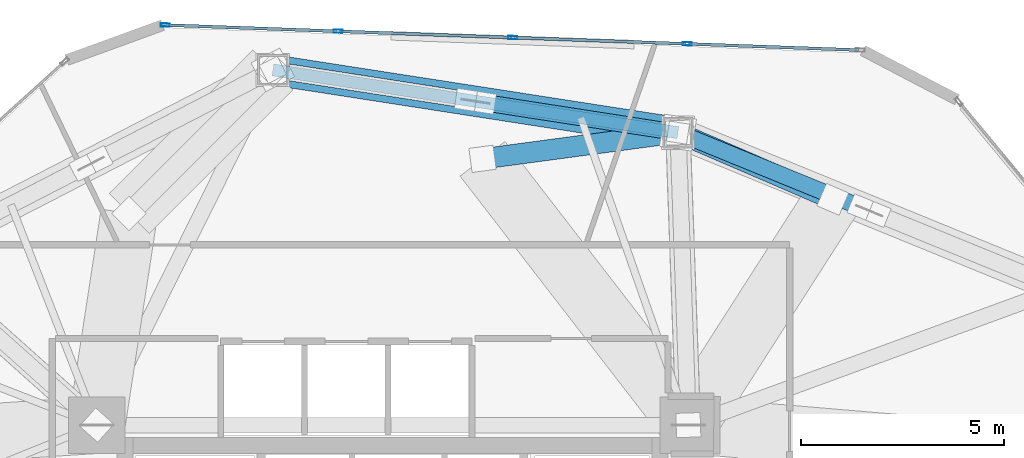
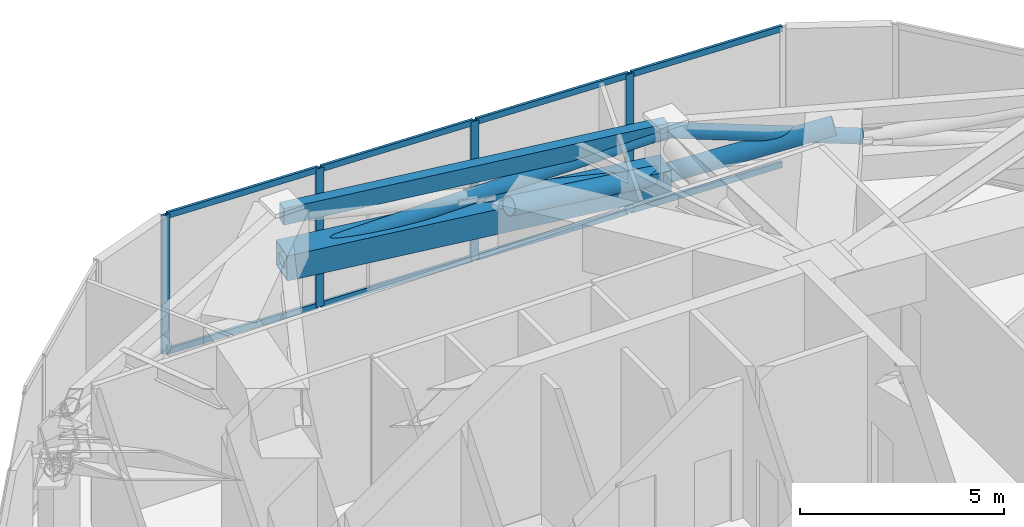
# One storey, part 17 of 25: 18 members, 1 beam, 1 element without a shape of its own.
"""IFC4 building model written with IfcOpenShell, lengths in metres."""

from ifc_helpers import new_model, si_unit, direction, frame, origin, origin_2d, place, context, subcontext, project, spatial, hollow_rectangle, hollow_circle, extrude, source, transform, mapped, material, layer, layer_set, material_profile, profile_set, type_object, type_shapes, element, aggregate, save


model = new_model("IFC4")

# Units and contexts
model_context = context("Model", 3, precision=1e-05, world=origin(), true_north=direction((0.0, 1.0)))
body_context = subcontext(model_context, "Body", "Model", "MODEL_VIEW")
ifc_project = project(units=[si_unit("LENGTHUNIT", "METRE"), si_unit("AREAUNIT", "SQUARE_METRE"), si_unit("VOLUMEUNIT", "CUBIC_METRE"), si_unit("PLANEANGLEUNIT", "RADIAN"), si_unit("MASSUNIT", "GRAM", prefix="KILO")], contexts=[model_context])

# Site, building, storey
site_placement = place(None, origin())
site = spatial("IfcSite", under=ifc_project, at=site_placement, CompositionType="ELEMENT")
building_placement = place(site_placement, origin())
building = spatial("IfcBuilding", under=site, at=building_placement, Name="Talar Marvaseh", CompositionType="ELEMENT")
storey_placement = place(building_placement, frame((0.0, 0.0, 84.800048828125)))
storey = spatial("IfcBuildingStorey", under=building, at=storey_placement, Name="L21", CompositionType="ELEMENT", Elevation=84.800048828125)

# Beam
ifc_material_1 = material(Name="Steel S355", Category="steel")
ifc_material_profile_1 = material_profile(ifc_material_1, hollow_rectangle(XDim=0.300048828125, YDim=0.5, WallThickness=0.02001953125, at=origin_2d()), Name="RHS500x300x20")
ifc_profile_set_1 = profile_set([ifc_material_profile_1], Name="Steel S355")
beam_type = type_object("IfcBeamType", Name="Zone 1 Perimeter Spandrel Beam RHS500x300x20", PredefinedType="SPANDREL", material=ifc_profile_set_1)
beam_placement = place(storey_placement, frame((23.047119140625, 45.6669921875, 3.89990234375), z_axis=(0.988210751461, -0.153099675693, 0.0), x_axis=(0.153099675693, 0.988210751461, 0.0)))
element("IfcBeam", 1, at=beam_placement, inside=storey, type_object=beam_type, Name="L21 Zone 1 Perimeter Spandrel Beam RHS500x300x20", PredefinedType="SPANDREL", context=body_context, shape_type="SweptSolid", body=[
    extrude(hollow_rectangle(XDim=0.300048828125, YDim=0.5, WallThickness=0.02001953125, at=origin_2d()), origin(), (0.0, 0.0, 1.0), 10.1181640625),
])

# Members
ifc_material_2 = material(Name="Steel S460", Category="steel")
ifc_material_profile_2 = material_profile(ifc_material_2, hollow_circle(Radius=0.25390625, WallThickness=0.02001953125, at=origin_2d()), Name="CHS508x20")
ifc_profile_set_2 = profile_set([ifc_material_profile_2], Name="Steel S460")
member_type_1 = type_object("IfcMemberType", Name="Crown Frame Diagonal Brace CHS508x20", PredefinedType="BRACE", material=ifc_profile_set_2)
shared_shape_1 = source(origin(), body_context, "Body", "SweptSolid", [
    extrude(hollow_circle(Radius=0.25390625, WallThickness=0.02001953125, at=origin_2d()), origin(), (0.0, 0.0, 1.0), 4.302978515625),
])
member_1_placement = place(storey_placement, frame((33.0458984375, 44.117919921875, 2.550048828125), z_axis=(0.887785160152, -0.382756994337, 0.255606323671), x_axis=(0.39590870499, 0.918289876517, 0.0)))
element("IfcMember", 2, at=member_1_placement, inside=storey, type_object=member_type_1, Name="L21 Setback Transfer Raked Strut 1", PredefinedType="BRACE", context=body_context, shape_type="MappedRepresentation", body=[
    mapped(shared_shape_1, transform((0.0, 0.0, 0.0), x_axis=(1.0, 0.0, 0.0), y_axis=(0.0, 1.0, 0.0), z_axis=(0.0, 0.0, 1.0), scale=1.0)),
])
shared_shape_2 = source(origin(), body_context, "Body", "SweptSolid", [
    extrude(hollow_circle(Radius=0.25390625, WallThickness=0.02001953125, at=origin_2d()), origin(), (0.0, 0.0, 1.0), 4.98974609375),
])
type_shapes(member_type_1, [shared_shape_1, shared_shape_2])
member_2_placement = place(storey_placement, frame((33.0458984375, 44.117919921875, 2.550048828125), z_axis=(-0.966774587865, -0.129464323068, 0.220422061761), x_axis=(0.132728843355, -0.991152386942, 0.0)))
element("IfcMember", 3, at=member_2_placement, inside=storey, type_object=member_type_1, Name="L21 Setback Transfer Raked Strut 12", PredefinedType="BRACE", context=body_context, shape_type="MappedRepresentation", body=[
    mapped(shared_shape_2, transform((0.0, 0.0, 0.0), x_axis=(1.0, 0.0, 0.0), y_axis=(0.0, 1.0, 0.0), z_axis=(0.0, 0.0, 1.0), scale=1.0)),
])
ifc_material_profile_3 = material_profile(ifc_material_2, hollow_rectangle(XDim=0.75, YDim=0.75, WallThickness=0.0400390625, at=origin_2d()), Name="BOX750x750x40")
ifc_profile_set_3 = profile_set([ifc_material_profile_3], Name="Steel S460")
member_type_2 = type_object("IfcMemberType", Name="Belt Truss Chord Member BOX750x750x40", PredefinedType="CHORD", material=ifc_profile_set_3)
shared_shape_3 = source(origin(), body_context, "Body", "SweptSolid", [
    extrude(hollow_rectangle(XDim=0.75, YDim=0.75, WallThickness=0.0400390625, at=origin_2d()), origin(), (0.0, 0.0, 1.0), 10.1181640625),
])
type_shapes(member_type_2, [shared_shape_3])
member_3_placement = place(storey_placement, frame((23.047119140625, 45.6669921875, 2.5), z_axis=(0.988210751461, -0.153099675693, 0.0), x_axis=(0.153099675693, 0.988210751461, 0.0)))
element("IfcMember", 4, at=member_3_placement, inside=storey, type_object=member_type_2, Name="L21 Belt Truss Bottom Chord 11", PredefinedType="CHORD", context=body_context, shape_type="MappedRepresentation", body=[
    mapped(shared_shape_3, transform((0.0, 0.0, 0.0), x_axis=(1.0, 0.0, 0.0), y_axis=(0.0, 1.0, 0.0), z_axis=(0.0, 0.0, 1.0), scale=1.0)),
])
ifc_material_profile_4 = material_profile(ifc_material_2, hollow_circle(Radius=0.203125, WallThickness=0.01611328125, at=origin_2d()), Name="CHS406x16")
ifc_profile_set_4 = profile_set([ifc_material_profile_4], Name="Steel S460")
member_type_3 = type_object("IfcMemberType", Name="Belt Truss Diagonal Brace CHS406x16", PredefinedType="BRACE", material=ifc_profile_set_4)
shared_shape_4 = source(origin(), body_context, "Body", "SweptSolid", [
    extrude(hollow_circle(Radius=0.203125, WallThickness=0.01611328125, at=origin_2d()), origin(), (0.0, 0.0, 1.0), 10.207763671875),
])
member_4_placement = place(storey_placement, frame((23.047119140625, 45.6669921875, 2.5), z_axis=(0.979532194198, -0.151755140329, 0.132238640013), x_axis=(0.153099675693, 0.988210751461, 0.0)))
element("IfcMember", 5, at=member_4_placement, inside=storey, type_object=member_type_3, Name="L21 Belt Truss Continuous Diagonal 11", PredefinedType="BRACE", context=body_context, shape_type="MappedRepresentation", body=[
    mapped(shared_shape_4, transform((0.0, 0.0, 0.0), x_axis=(1.0, 0.0, 0.0), y_axis=(0.0, 1.0, 0.0), z_axis=(0.0, 0.0, 1.0), scale=1.0)),
])
shared_shape_5 = source(origin(), body_context, "Body", "SweptSolid", [
    extrude(hollow_circle(Radius=0.203125, WallThickness=0.01611328125, at=origin_2d()), origin(), (0.0, 0.0, 1.0), 4.864013671875),
])
member_5_placement = place(storey_placement, frame((33.0458984375, 44.117919921875, 2.5), z_axis=(-0.979524738437, 0.15178492488, 0.132259681567), x_axis=(-0.153130157837, -0.988206028499, 0.0)))
element("IfcMember", 6, at=member_5_placement, inside=storey, type_object=member_type_3, Name="L21 Belt Truss Split Diagonal Lower 11", PredefinedType="BRACE", context=body_context, shape_type="MappedRepresentation", body=[
    mapped(shared_shape_5, transform((0.0, 0.0, 0.0), x_axis=(1.0, 0.0, 0.0), y_axis=(0.0, 1.0, 0.0), z_axis=(0.0, 0.0, 1.0), scale=1.0)),
])
shared_shape_6 = source(origin(), body_context, "Body", "SweptSolid", [
    extrude(hollow_circle(Radius=0.203125, WallThickness=0.01611328125, at=origin_2d()), origin(), (0.0, 0.0, 1.0), 4.897705078125),
])
type_shapes(member_type_3, [shared_shape_4, shared_shape_5, shared_shape_6])
member_6_placement = place(storey_placement, frame((37.541259765625, 42.283447265625, 3.20654296875), z_axis=(-0.917852529751, 0.374558404852, 0.13134966686), x_axis=(-0.377831902318, -0.925874210458, 0.0)))
element("IfcMember", 7, at=member_6_placement, inside=storey, type_object=member_type_3, Name="L21 Belt Truss Split Diagonal Upper 12", PredefinedType="BRACE", context=body_context, shape_type="MappedRepresentation", body=[
    mapped(shared_shape_6, transform((0.0, 0.0, 0.0), x_axis=(1.0, 0.0, 0.0), y_axis=(0.0, 1.0, 0.0), z_axis=(0.0, 0.0, 1.0), scale=1.0)),
])

# Curtain wall, members
ifc_material_3 = material(Name="Architectural Aluminium", Category="aluminium")
ifc_layer = layer(ifc_material_3, 0.219970703125)
ifc_layer_set = layer_set([ifc_layer], Name="Architectural Aluminium")
curtain_wall_type = type_object("IfcCurtainWallType", Name="Unitised Low-E Museum Curtain Wall Z1", PredefinedType="NOTDEFINED", material=ifc_layer_set)
curtain_wall_placement = place(storey_placement, origin())
curtain_wall = element("IfcCurtainWall", 8, at=curtain_wall_placement, inside=storey, type_object=curtain_wall_type, Name="L21 Unitised Low-E Museum Curtain Wall Z1", PredefinedType="NOTDEFINED")
ifc_material_profile_5 = material_profile(ifc_material_3, hollow_rectangle(XDim=0.074951171875, YDim=0.179931640625, WallThickness=0.0048828125, at=origin_2d()), Name="RHS180x75x5")
ifc_profile_set_5 = profile_set([ifc_material_profile_5], Name="Architectural Aluminium")
member_type_4 = type_object("IfcMemberType", Name="Unitised Curtain Wall Transom RHS180x75x5", PredefinedType="USERDEFINED", material=ifc_profile_set_5)
shared_shape_7 = source(origin(), body_context, "Body", "SweptSolid", [
    extrude(hollow_rectangle(XDim=0.074951171875, YDim=0.179931640625, WallThickness=0.0048828125, at=origin_2d()), origin(), (0.0, 0.0, 1.0), 4.19189453125),
])
member_7_placement = place(storey_placement, frame((20.42724609375, 46.771728515625, 0.037353515625), z_axis=(0.999349954544, -0.036050913332, 0.0), x_axis=(0.036050913332, 0.999349954544, 0.0)))
member_7 = element("IfcMember", 9, at=member_7_placement, type_object=member_type_4, Name="CW-Z1 transom 1.1", ObjectType="TRANSOM", PredefinedType="USERDEFINED", context=body_context, shape_type="MappedRepresentation", body=[
    mapped(shared_shape_7, transform((0.0, 0.0, 0.0), x_axis=(1.0, 0.0, 0.0), y_axis=(0.0, 1.0, 0.0), z_axis=(0.0, 0.0, 1.0), scale=1.0)),
])
member_8_placement = place(storey_placement, frame((20.42724609375, 46.771728515625, 4.112548828125), z_axis=(0.999349954544, -0.036050913332, 0.0), x_axis=(0.036050913332, 0.999349954544, 0.0)))
member_8 = element("IfcMember", 10, at=member_8_placement, type_object=member_type_4, Name="CW-Z1 transom 1.2", ObjectType="TRANSOM", PredefinedType="USERDEFINED", context=body_context, shape_type="MappedRepresentation", body=[
    mapped(shared_shape_7, transform((0.0, 0.0, 0.0), x_axis=(1.0, 0.0, 0.0), y_axis=(0.0, 1.0, 0.0), z_axis=(0.0, 0.0, 1.0), scale=1.0)),
])
shared_shape_8 = source(origin(), body_context, "Body", "SweptSolid", [
    extrude(hollow_rectangle(XDim=0.074951171875, YDim=0.179931640625, WallThickness=0.0048828125, at=origin_2d()), origin(), (0.0, 0.0, 1.0), 4.191650390625),
])
member_9_placement = place(storey_placement, frame((33.314697265625, 46.306640625, 0.037353515625), z_axis=(0.999347778651, -0.036111179786, 0.0), x_axis=(0.036111179786, 0.999347778651, 0.0)))
member_9 = element("IfcMember", 11, at=member_9_placement, type_object=member_type_4, Name="CW-Z1 transom 4.1", ObjectType="TRANSOM", PredefinedType="USERDEFINED", context=body_context, shape_type="MappedRepresentation", body=[
    mapped(shared_shape_8, transform((0.0, 0.0, 0.0), x_axis=(1.0, 0.0, 0.0), y_axis=(0.0, 1.0, 0.0), z_axis=(0.0, 0.0, 1.0), scale=1.0)),
])
member_10_placement = place(storey_placement, frame((33.314697265625, 46.306640625, 4.112548828125), z_axis=(0.999347778651, -0.036111179786, 0.0), x_axis=(0.036111179786, 0.999347778651, 0.0)))
member_10 = element("IfcMember", 12, at=member_10_placement, type_object=member_type_4, Name="CW-Z1 transom 4.2", ObjectType="TRANSOM", PredefinedType="USERDEFINED", context=body_context, shape_type="MappedRepresentation", body=[
    mapped(shared_shape_8, transform((0.0, 0.0, 0.0), x_axis=(1.0, 0.0, 0.0), y_axis=(0.0, 1.0, 0.0), z_axis=(0.0, 0.0, 1.0), scale=1.0)),
])
shared_shape_9 = source(origin(), body_context, "Body", "SweptSolid", [
    extrude(hollow_rectangle(XDim=0.074951171875, YDim=0.179931640625, WallThickness=0.0048828125, at=origin_2d()), origin(), (0.0, 0.0, 1.0), 4.231689453125),
])
type_shapes(member_type_4, [shared_shape_7, shared_shape_8, shared_shape_9])
member_11_placement = place(storey_placement, frame((24.696533203125, 46.61767578125, 0.037353515625), z_axis=(0.999349705351, -0.036057820451, 0.0), x_axis=(0.036057820451, 0.999349705351, 0.0)))
member_11 = element("IfcMember", 13, at=member_11_placement, type_object=member_type_4, Name="CW-Z1 transom 2.1", ObjectType="TRANSOM", PredefinedType="USERDEFINED", context=body_context, shape_type="MappedRepresentation", body=[
    mapped(shared_shape_9, transform((0.0, 0.0, 0.0), x_axis=(1.0, 0.0, 0.0), y_axis=(0.0, 1.0, 0.0), z_axis=(0.0, 0.0, 1.0), scale=1.0)),
])
member_12_placement = place(storey_placement, frame((24.696533203125, 46.61767578125, 4.112548828125), z_axis=(0.999349705351, -0.036057820451, 0.0), x_axis=(0.036057820451, 0.999349705351, 0.0)))
member_12 = element("IfcMember", 14, at=member_12_placement, type_object=member_type_4, Name="CW-Z1 transom 2.2", ObjectType="TRANSOM", PredefinedType="USERDEFINED", context=body_context, shape_type="MappedRepresentation", body=[
    mapped(shared_shape_9, transform((0.0, 0.0, 0.0), x_axis=(1.0, 0.0, 0.0), y_axis=(0.0, 1.0, 0.0), z_axis=(0.0, 0.0, 1.0), scale=1.0)),
])
member_13_placement = place(storey_placement, frame((29.005615234375, 46.462158203125, 0.037353515625), z_axis=(0.999347624781, -0.036115437774, 0.0), x_axis=(0.036115437774, 0.999347624781, 0.0)))
member_13 = element("IfcMember", 15, at=member_13_placement, type_object=member_type_4, Name="CW-Z1 transom 3.1", ObjectType="TRANSOM", PredefinedType="USERDEFINED", context=body_context, shape_type="MappedRepresentation", body=[
    mapped(shared_shape_9, transform((0.0, 0.0, 0.0), x_axis=(1.0, 0.0, 0.0), y_axis=(0.0, 1.0, 0.0), z_axis=(0.0, 0.0, 1.0), scale=1.0)),
])
member_14_placement = place(storey_placement, frame((29.005615234375, 46.462158203125, 4.112548828125), z_axis=(0.999347624781, -0.036115437774, 0.0), x_axis=(0.036115437774, 0.999347624781, 0.0)))
member_14 = element("IfcMember", 16, at=member_14_placement, type_object=member_type_4, Name="CW-Z1 transom 3.2", ObjectType="TRANSOM", PredefinedType="USERDEFINED", context=body_context, shape_type="MappedRepresentation", body=[
    mapped(shared_shape_9, transform((0.0, 0.0, 0.0), x_axis=(1.0, 0.0, 0.0), y_axis=(0.0, 1.0, 0.0), z_axis=(0.0, 0.0, 1.0), scale=1.0)),
])
ifc_material_profile_6 = material_profile(ifc_material_3, hollow_rectangle(XDim=0.080078125, YDim=0.219970703125, WallThickness=0.0048828125, at=origin_2d()), Name="RHS220x80x5")
ifc_profile_set_6 = profile_set([ifc_material_profile_6], Name="Architectural Aluminium")
member_type_5 = type_object("IfcMemberType", Name="Unitised Curtain Wall Heavy Mullion RHS220x80x5", PredefinedType="MULLION", material=ifc_profile_set_6)
shared_shape_10 = source(origin(), body_context, "Body", "SweptSolid", [
    extrude(hollow_rectangle(XDim=0.080078125, YDim=0.219970703125, WallThickness=0.0048828125, at=origin_2d()), origin(), (0.0, 0.0, 1.0), 4.14990234375),
])
type_shapes(member_type_5, [shared_shape_10])
member_15_placement = place(storey_placement, frame((20.387451171875, 46.773193359375, 0.0), z_axis=(0.0, 0.0, 1.0), x_axis=(0.036080528393, 0.999348885761, 0.0)))
member_15 = element("IfcMember", 17, at=member_15_placement, type_object=member_type_5, Name="CW-Z1 mullion 1", PredefinedType="MULLION", context=body_context, shape_type="MappedRepresentation", body=[
    mapped(shared_shape_10, transform((0.0, 0.0, 0.0), x_axis=(1.0, 0.0, 0.0), y_axis=(0.0, 1.0, 0.0), z_axis=(0.0, 0.0, 1.0), scale=1.0)),
])
member_16_placement = place(storey_placement, frame((24.656494140625, 46.619140625, 0.0), z_axis=(0.0, 0.0, 1.0), x_axis=(0.036080528393, 0.999348885761, 0.0)))
member_16 = element("IfcMember", 18, at=member_16_placement, type_object=member_type_5, Name="CW-Z1 mullion 2", PredefinedType="MULLION", context=body_context, shape_type="MappedRepresentation", body=[
    mapped(shared_shape_10, transform((0.0, 0.0, 0.0), x_axis=(1.0, 0.0, 0.0), y_axis=(0.0, 1.0, 0.0), z_axis=(0.0, 0.0, 1.0), scale=1.0)),
])
member_17_placement = place(storey_placement, frame((28.965576171875, 46.463623046875, 0.0), z_axis=(0.0, 0.0, 1.0), x_axis=(0.036080528393, 0.999348885761, 0.0)))
member_17 = element("IfcMember", 19, at=member_17_placement, type_object=member_type_5, Name="CW-Z1 mullion 3", PredefinedType="MULLION", context=body_context, shape_type="MappedRepresentation", body=[
    mapped(shared_shape_10, transform((0.0, 0.0, 0.0), x_axis=(1.0, 0.0, 0.0), y_axis=(0.0, 1.0, 0.0), z_axis=(0.0, 0.0, 1.0), scale=1.0)),
])
member_18_placement = place(storey_placement, frame((33.274658203125, 46.307861328125, 0.0), z_axis=(0.0, 0.0, 1.0), x_axis=(0.036080528393, 0.999348885761, 0.0)))
member_18 = element("IfcMember", 20, at=member_18_placement, type_object=member_type_5, Name="CW-Z1 mullion 4", PredefinedType="MULLION", context=body_context, shape_type="MappedRepresentation", body=[
    mapped(shared_shape_10, transform((0.0, 0.0, 0.0), x_axis=(1.0, 0.0, 0.0), y_axis=(0.0, 1.0, 0.0), z_axis=(0.0, 0.0, 1.0), scale=1.0)),
])
aggregate(curtain_wall, [member_15, member_16, member_17, member_18, member_7, member_8, member_11, member_12, member_13, member_14, member_9, member_10])

save(model, "model.ifc")
